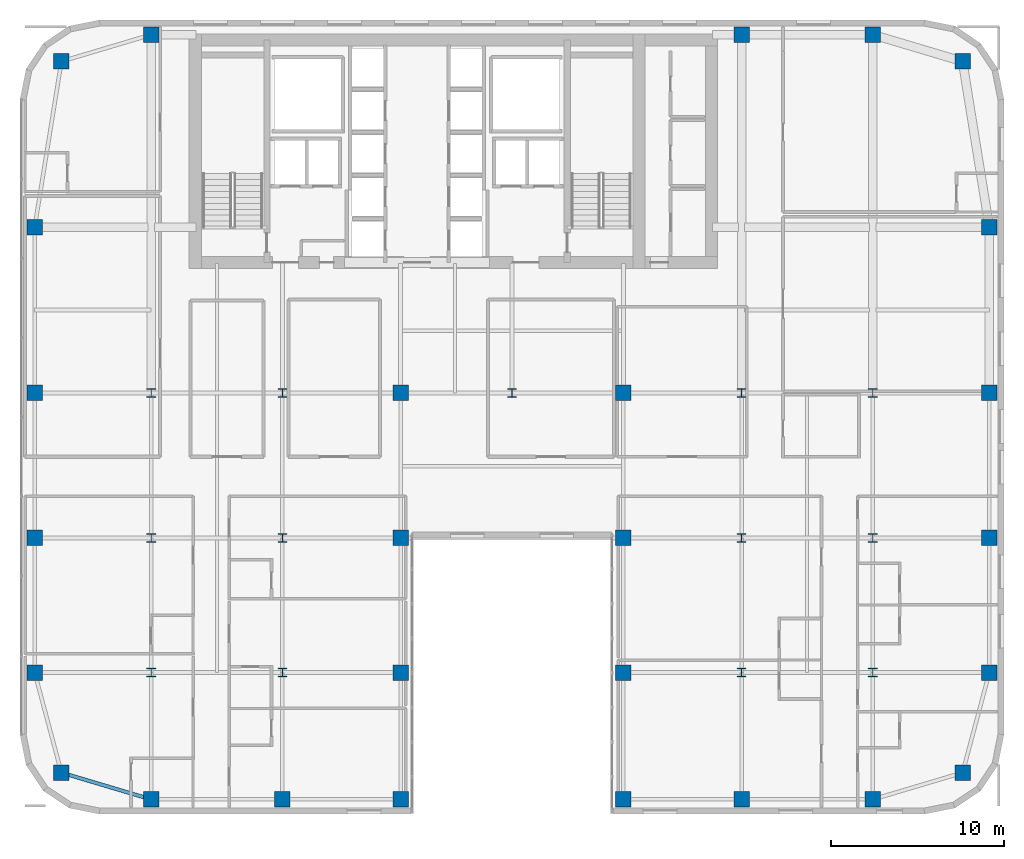
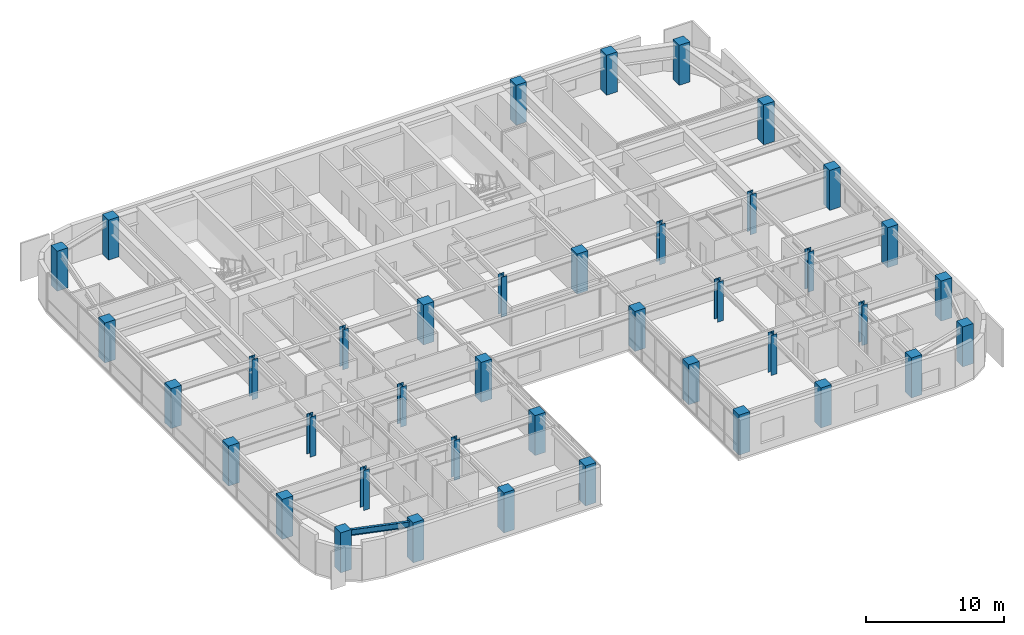
# One storey, part 1 of 30: 40 columns, 1 beam.
"""IFC4 building model written with IfcOpenShell, lengths in metres."""

from ifc_helpers import new_model, si_unit, direction, frame, origin, origin_2d, place, context, subcontext, project, spatial, rectangle, i_section, extrude, source, transform, mapped, material, material_profile, profile_set, type_object, type_shapes, element, save


model = new_model("IFC4")

# Units and contexts
model_context = context("Model", 3, precision=1e-05, world=origin(), true_north=direction((0.0, 1.0)))
body_context = subcontext(model_context, "Body", "Model", "MODEL_VIEW")
ifc_project = project(units=[si_unit("LENGTHUNIT", "METRE"), si_unit("AREAUNIT", "SQUARE_METRE"), si_unit("VOLUMEUNIT", "CUBIC_METRE"), si_unit("PLANEANGLEUNIT", "RADIAN"), si_unit("MASSUNIT", "GRAM", prefix="KILO")], contexts=[model_context])

# Site, building, storey
site_placement = place(None, origin())
site = spatial("IfcSite", under=ifc_project, at=site_placement, CompositionType="ELEMENT")
building_placement = place(site_placement, origin())
building = spatial("IfcBuilding", under=site, at=building_placement, Name="Tolvann Quenvar Hotel", CompositionType="ELEMENT")
storey_placement = place(building_placement, frame((0.0, 0.0, 100.89990234375)))
storey = spatial("IfcBuildingStorey", under=building, at=storey_placement, Name="L25", CompositionType="ELEMENT", Elevation=100.89990234375)

# Columns
ifc_material_1 = material(Name="Concrete S65 (65 MPa)", Category="concrete")
ifc_material_profile_1 = material_profile(ifc_material_1, rectangle(XDim=0.89990234375, YDim=0.89990234375, at=origin_2d()), Name="RC900x900")
ifc_profile_set_1 = profile_set([ifc_material_profile_1], Name="Concrete S65 (65 MPa)")
column_type_1 = type_object("IfcColumnType", Name="COL_RC900", PredefinedType="COLUMN", material=ifc_profile_set_1)
shared_shape_1 = source(origin(), body_context, "Body", "SweptSolid", [
    extrude(rectangle(XDim=0.89990234375, YDim=0.89990234375, at=origin_2d()), origin(), (0.0, 0.0, 1.0), 3.550048828125),
])
type_shapes(column_type_1, [shared_shape_1])
for number, where, z_axis, x_axis, name in (
    (1, (2.39990234375, 2.39990234375, 0.0), (0.0, 0.0, 1.0), (1.0, 0.0, 0.0), "Column B2 (L25)"),
    (2, (0.85009765625, 8.199951171875, 0.0), (0.0, 0.0, 1.0), (1.0, 0.0, 0.0), "Column B3 (L25)"),
    (3, (0.85009765625, 16.0, 0.0), (0.0, 0.0, 1.0), (1.0, 0.0, 0.0), "Column B4 (L25)"),
    (4, (0.85009765625, 24.39990234375, 0.0), (0.0, 0.0, 1.0), (1.0, 0.0, 0.0), "Column B5 (L25)"),
    (5, (7.60009765625, 0.85009765625, 0.0), (0.0, 0.0, 1.0), (1.0, 0.0, 0.0), "Column C2 (L25)"),
    (6, (15.199951171875, 0.85009765625, 0.0), (0.0, 0.0, 1.0), (1.0, 0.0, 0.0), "Column D2 (L25)"),
    (7, (22.050048828125, 0.85009765625, 0.0), (0.0, 0.0, 1.0), (1.0, 0.0, 0.0), "Column E2 (L25)"),
    (8, (22.050048828125, 8.199951171875, 0.0), (0.0, 0.0, 1.0), (1.0, 0.0, 0.0), "Column E3 (L25)"),
    (9, (22.050048828125, 16.0, 0.0), (0.0, 0.0, 1.0), (1.0, 0.0, 0.0), "Column E4 (L25)"),
    (10, (22.050048828125, 24.39990234375, 0.0), (0.0, 0.0, 1.0), (1.0, 0.0, 0.0), "Column E5 (L25)"),
    (11, (34.949951171875, 0.85009765625, 0.0), (0.0, 0.0, 1.0), (1.0, 0.0, 0.0), "Column F2 (L25)"),
    (12, (34.949951171875, 8.199951171875, 0.0), (0.0, 0.0, 1.0), (1.0, 0.0, 0.0), "Column F3 (L25)"),
    (13, (34.949951171875, 16.0, 0.0), (0.0, 0.0, 1.0), (1.0, 0.0, 0.0), "Column F4 (L25)"),
    (14, (34.949951171875, 24.39990234375, 0.0), (0.0, 0.0, 1.0), (1.0, 0.0, 0.0), "Column F5 (L25)"),
    (15, (41.800048828125, 0.85009765625, 0.0), (0.0, 0.0, 1.0), (1.0, 0.0, 0.0), "Column H2 (L25)"),
    (16, (49.39990234375, 0.85009765625, 0.0), (0.0, 0.0, 1.0), (1.0, 0.0, 0.0), "Column I2 (L25)"),
    (17, (54.60009765625, 2.39990234375, 0.0), (0.0, 0.0, 1.0), (1.0, 0.0, 0.0), "Column J2 (L25)"),
    (18, (56.14990234375, 8.199951171875, 0.0), (0.0, 0.0, 1.0), (1.0, 0.0, 0.0), "Column J3 (L25)"),
    (19, (56.14990234375, 16.0, 0.0), (0.0, 0.0, 1.0), (1.0, 0.0, 0.0), "Column J4 (L25)"),
    (20, (56.14990234375, 24.39990234375, 0.0), (0.0, 0.0, 1.0), (1.0, 0.0, 0.0), "Column J5 (L25)"),
    (21, (2.39990234375, 43.60009765625, 0.0), (0.0, 0.0, 1.0), (1.0, 0.0, 0.0), "Column BN (L25)"),
    (22, (7.60009765625, 45.14990234375, 0.0), (0.0, 0.0, 1.0), (1.0, 0.0, 0.0), "Column CN (L25)"),
    (23, (0.85009765625, 34.0, 0.0), (0.0, 0.0, 1.0), (1.0, 0.0, 0.0), "Column BD6 (L25)"),
    (24, (41.800048828125, 45.14990234375, 0.0), (0.0, 0.0, 1.0), (1.0, 0.0, 0.0), "Column HN (L25)"),
    (25, (49.39990234375, 45.14990234375, 0.0), (0.0, 0.0, 1.0), (1.0, 0.0, 0.0), "Column IN (L25)"),
    (26, (54.60009765625, 43.60009765625, 0.0), (0.0, 0.0, 1.0), (1.0, 0.0, 0.0), "Column JN (L25)"),
    (27, (56.14990234375, 34.0, 0.0), (0.0, 0.0, 1.0), (1.0, 0.0, 0.0), "Column JD6 (L25)"),
):
    element("IfcColumn", number, at=place(storey_placement, frame(where, z_axis=z_axis, x_axis=x_axis)), inside=storey, type_object=column_type_1, Name=name, PredefinedType="COLUMN", context=body_context, shape_type="MappedRepresentation", body=[
        mapped(shared_shape_1, transform((0.0, 0.0, 0.0), x_axis=(1.0, 0.0, 0.0), y_axis=(0.0, 1.0, 0.0), z_axis=(0.0, 0.0, 1.0), scale=1.0)),
    ])
ifc_material_2 = material(Name="Steel Grade 350", Category="steel")
ifc_material_profile_2 = material_profile(ifc_material_2, i_section(OverallWidth=0.5, OverallDepth=0.5, WebThickness=0.02197265625, FlangeThickness=0.033935546875, at=origin_2d()), Name="500WC340")
ifc_profile_set_2 = profile_set([ifc_material_profile_2], Name="Steel Grade 350")
column_type_2 = type_object("IfcColumnType", Name="COL_500WC340", PredefinedType="COLUMN", material=ifc_profile_set_2)
shared_shape_2 = source(origin(), body_context, "Body", "SweptSolid", [
    extrude(i_section(OverallWidth=0.5, OverallDepth=0.5, WebThickness=0.02197265625, FlangeThickness=0.033935546875, at=origin_2d()), origin(), (0.0, 0.0, 1.0), 3.550048828125),
])
type_shapes(column_type_2, [shared_shape_2])
for number, where, z_axis, x_axis, name in (
    (28, (7.60009765625, 8.199951171875, 0.0), (0.0, 0.0, 1.0), (1.0, 0.0, 0.0), "Column C3 (L25)"),
    (29, (7.60009765625, 16.0, 0.0), (0.0, 0.0, 1.0), (1.0, 0.0, 0.0), "Column C4 (L25)"),
    (30, (7.60009765625, 24.39990234375, 0.0), (0.0, 0.0, 1.0), (1.0, 0.0, 0.0), "Column C5 (L25)"),
    (31, (15.199951171875, 8.199951171875, 0.0), (0.0, 0.0, 1.0), (1.0, 0.0, 0.0), "Column D3 (L25)"),
    (32, (15.199951171875, 16.0, 0.0), (0.0, 0.0, 1.0), (1.0, 0.0, 0.0), "Column D4 (L25)"),
    (33, (15.199951171875, 24.39990234375, 0.0), (0.0, 0.0, 1.0), (1.0, 0.0, 0.0), "Column D5 (L25)"),
    (34, (41.800048828125, 8.199951171875, 0.0), (0.0, 0.0, 1.0), (1.0, 0.0, 0.0), "Column H3 (L25)"),
    (35, (41.800048828125, 16.0, 0.0), (0.0, 0.0, 1.0), (1.0, 0.0, 0.0), "Column H4 (L25)"),
    (36, (41.800048828125, 24.39990234375, 0.0), (0.0, 0.0, 1.0), (1.0, 0.0, 0.0), "Column H5 (L25)"),
    (37, (49.39990234375, 8.199951171875, 0.0), (0.0, 0.0, 1.0), (1.0, 0.0, 0.0), "Column I3 (L25)"),
    (38, (49.39990234375, 16.0, 0.0), (0.0, 0.0, 1.0), (1.0, 0.0, 0.0), "Column I4 (L25)"),
    (39, (49.39990234375, 24.39990234375, 0.0), (0.0, 0.0, 1.0), (1.0, 0.0, 0.0), "Column I5 (L25)"),
    (40, (28.5, 24.39990234375, 0.0), (0.0, 0.0, 1.0), (1.0, 0.0, 0.0), "Column M5 (L25)"),
):
    element("IfcColumn", number, at=place(storey_placement, frame(where, z_axis=z_axis, x_axis=x_axis)), inside=storey, type_object=column_type_2, Name=name, PredefinedType="COLUMN", context=body_context, shape_type="MappedRepresentation", body=[
        mapped(shared_shape_2, transform((0.0, 0.0, 0.0), x_axis=(1.0, 0.0, 0.0), y_axis=(0.0, 1.0, 0.0), z_axis=(0.0, 0.0, 1.0), scale=1.0)),
    ])

# Beam
ifc_material_profile_3 = material_profile(ifc_material_2, i_section(OverallWidth=0.208984375, OverallDepth=0.528076171875, WebThickness=0.009521484375, FlangeThickness=0.01318359375, FilletRadius=0.013916015625, at=origin_2d()), Name="530UB82")
ifc_profile_set_3 = profile_set([ifc_material_profile_3], Name="Steel Grade 350")
beam_type = type_object("IfcBeamType", Name="BM_SPAND_530UB82", PredefinedType="SPANDREL", material=ifc_profile_set_3)
shared_shape_3 = source(origin(), body_context, "Body", "SweptSolid", [
    extrude(i_section(OverallWidth=0.208984375, OverallDepth=0.528076171875, WebThickness=0.009521484375, FlangeThickness=0.01318359375, FilletRadius=0.013916015625, at=origin_2d()), origin(), (0.0, 0.0, 1.0), 5.42626953125),
])
type_shapes(beam_type, [shared_shape_3])
beam_placement = place(storey_placement, frame((2.39990234375, 2.39990234375, 3.106201171875), z_axis=(0.958344815522, -0.285613750654, 0.0), x_axis=(0.285613750654, 0.958344815522, 0.0)))
element("IfcBeam", 41, at=beam_placement, inside=storey, type_object=beam_type, Name="BM-L25-EW-2-B2-C2", PredefinedType="SPANDREL", context=body_context, shape_type="MappedRepresentation", body=[
    mapped(shared_shape_3, transform((0.0, 0.0, 0.0), x_axis=(1.0, 0.0, 0.0), y_axis=(0.0, 1.0, 0.0), z_axis=(0.0, 0.0, 1.0), scale=1.0)),
])

save(model, "model.ifc")
